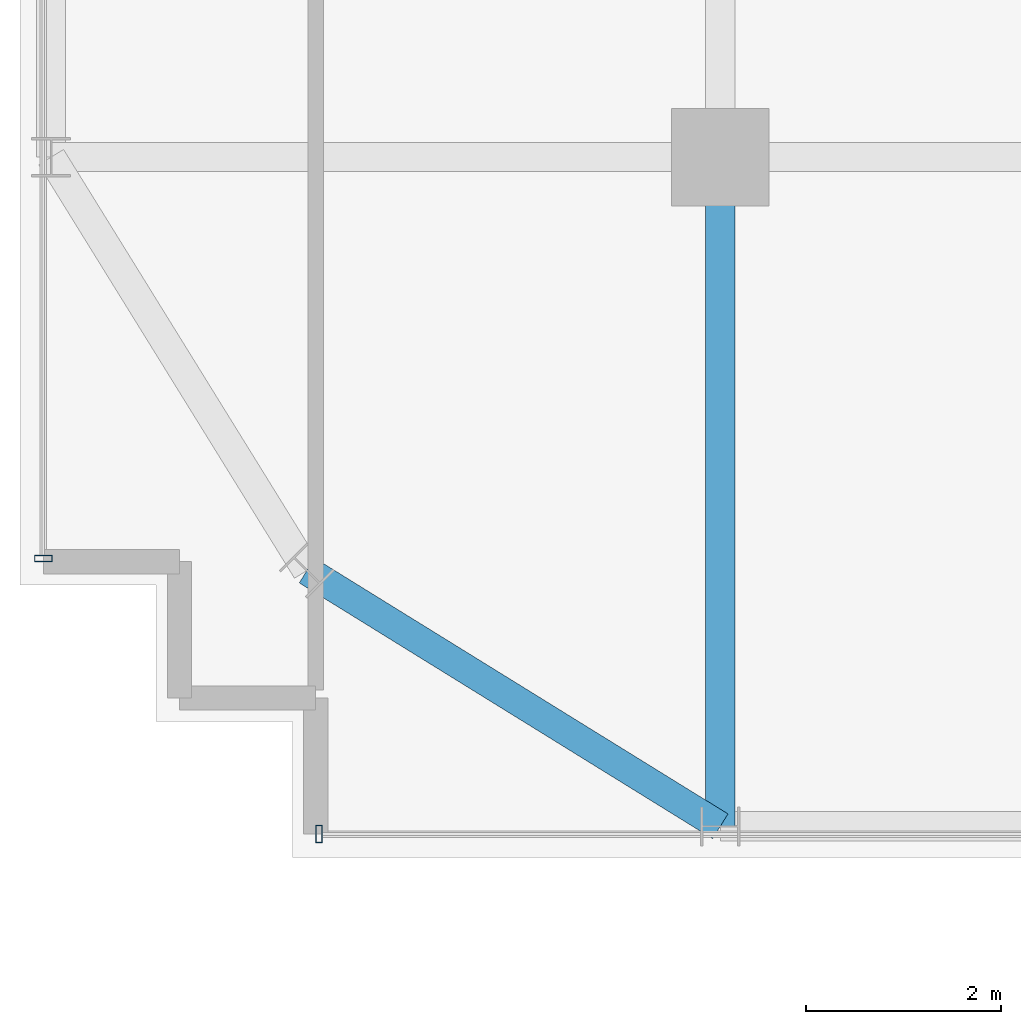
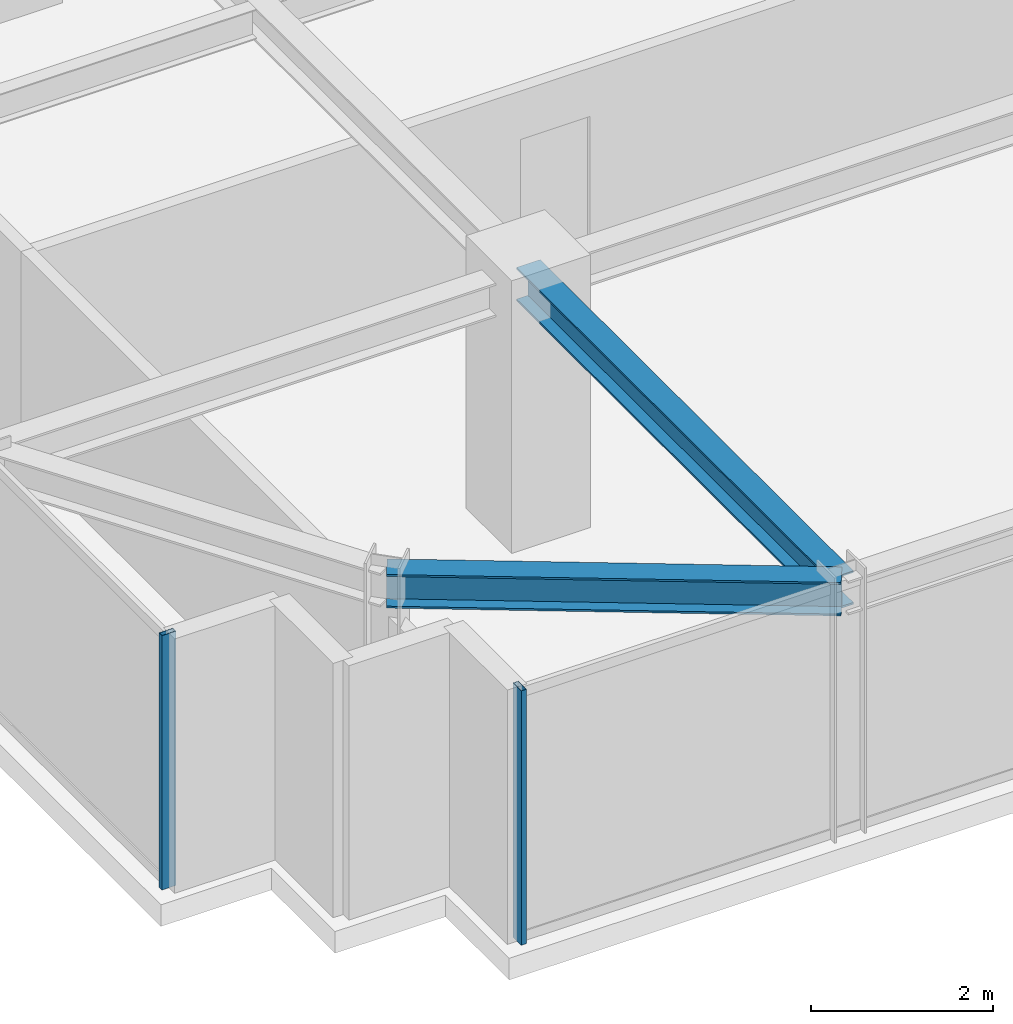
# One storey, part 3 of 36: 2 beams, 2 members, 2 elements without a shape of their own.
"""IFC4 building model written with IfcOpenShell, lengths in metres."""

from ifc_helpers import new_model, si_unit, direction, frame, origin, origin_2d, place, context, subcontext, project, spatial, hollow_rectangle, i_section, extrude, source, transform, mapped, material, material_profile, profile_set, type_object, element, aggregate, save


model = new_model("IFC4")

# Units and contexts
model_context = context("Model", 3, precision=1e-05, world=origin(), true_north=direction((0.0, 1.0)))
body_context = subcontext(model_context, "Body", "Model", "MODEL_VIEW")
ifc_project = project(units=[si_unit("LENGTHUNIT", "METRE"), si_unit("AREAUNIT", "SQUARE_METRE"), si_unit("VOLUMEUNIT", "CUBIC_METRE"), si_unit("PLANEANGLEUNIT", "RADIAN"), si_unit("MASSUNIT", "GRAM", prefix="KILO")], contexts=[model_context])

# Site, building, storey
site_placement = place(None, origin())
site = spatial("IfcSite", under=ifc_project, at=site_placement, CompositionType="ELEMENT")
building_placement = place(site_placement, origin())
building = spatial("IfcBuilding", under=site, at=building_placement, Name="Nahalor Promenade Grand Hotel", CompositionType="ELEMENT")
storey_placement = place(building_placement, frame((0.0, 0.0, 253.0)))
storey = spatial("IfcBuildingStorey", under=building, at=storey_placement, Name="L65", CompositionType="ELEMENT", Elevation=253.0)

# Beams
ifc_material_1 = material(Name="Steel S355JR", Category="steel")
ifc_material_profile_1 = material_profile(ifc_material_1, i_section(OverallWidth=0.3, OverallDepth=0.45, WebThickness=0.014, FlangeThickness=0.026, at=origin_2d()), Name="HEB 450")
ifc_profile_set_1 = profile_set([ifc_material_profile_1], Name="Steel S355JR")
beam_type_1 = type_object("IfcBeamType", Name="Beam-Spandrel-HEB450", PredefinedType="SPANDREL", material=ifc_profile_set_1)
shared_shape_1 = source(origin(), body_context, "Body", "SweptSolid", [
    extrude(i_section(OverallWidth=0.3, OverallDepth=0.45, WebThickness=0.014, FlangeThickness=0.026, at=origin_2d()), origin(), (0.0, 0.0, 1.0), 4.997802734375),
])
beam_1_placement = place(storey_placement, frame((-17.0, -23.8798828125, 3.18505859375), z_axis=(-0.850360908404, 0.526199891161, 0.0), x_axis=(-0.526199891161, -0.850360908404, 0.0)))
element("IfcBeam", 1, at=beam_1_placement, inside=storey, type_object=beam_type_1, Name="BM-L65-SPC-SW-1", PredefinedType="SPANDREL", context=body_context, shape_type="MappedRepresentation", body=[
    mapped(shared_shape_1, transform((0.0, 0.0, 0.0), scale=1.0)),
])
ifc_material_profile_2 = material_profile(ifc_material_1, i_section(OverallWidth=0.3, OverallDepth=0.45, WebThickness=0.014, FlangeThickness=0.026, at=origin_2d()), Name="HEB 450")
ifc_profile_set_2 = profile_set([ifc_material_profile_2], Name="Steel S355JR")
beam_type_2 = type_object("IfcBeamType", Name="Beam-Girder-HEB450", PredefinedType="BEAM", material=ifc_profile_set_2)
shared_shape_2 = source(origin(), body_context, "Body", "SweptSolid", [
    extrude(i_section(OverallWidth=0.3, OverallDepth=0.45, WebThickness=0.014, FlangeThickness=0.026, at=origin_2d()), origin(), (0.0, 0.0, 1.0), 6.8798828125),
])
beam_2_placement = place(storey_placement, frame((-17.0, -23.8798828125, 3.18505859375), z_axis=(0.0, 1.0, 0.0), x_axis=(-1.0, 0.0, 0.0)))
element("IfcBeam", 2, at=beam_2_placement, inside=storey, type_object=beam_type_2, Name="BM-L65-GY-0-0", PredefinedType="BEAM", context=body_context, shape_type="MappedRepresentation", body=[
    mapped(shared_shape_2, transform((0.0, 0.0, 0.0), scale=1.0)),
])

# Curtain wall, member
ifc_material_2 = material(Name="Anodised Bronze Aluminium EN AW-6063 T6", Category="aluminium")
curtain_wall_type = type_object("IfcCurtainWallType", Name="CW2 Typical Hotel Flush Bronze Unitised Curtain Wall", PredefinedType="USERDEFINED", material=ifc_material_2)
curtain_wall_1_placement = place(storey_placement, origin())
curtain_wall_1 = element("IfcCurtainWall", 3, at=curtain_wall_1_placement, inside=storey, type_object=curtain_wall_type, Name="L65 Curtain Wall CW-L65-S-1", ObjectType="UNITISED_CURTAIN_WALL", PredefinedType="USERDEFINED")
ifc_material_profile_3 = material_profile(ifc_material_2, hollow_rectangle(XDim=0.065, YDim=0.18, WallThickness=0.004, at=origin_2d()), Name="CWM 65x180x4")
ifc_profile_set_3 = profile_set([ifc_material_profile_3], Name="Anodised Bronze Aluminium EN AW-6063 T6")
member_type = type_object("IfcMemberType", Name="CWM2 Typical Bronze Mullion 65x180", PredefinedType="MULLION", material=ifc_profile_set_3)
shared_shape_3 = source(origin(), body_context, "Body", "SweptSolid", [
    extrude(hollow_rectangle(XDim=0.065, YDim=0.18, WallThickness=0.004, at=origin_2d()), origin(), (0.0, 0.0, 1.0), 3.409912109375),
])
member_1_placement = place(storey_placement, frame((-21.12744140625, -23.9599609375, 0.0), z_axis=(0.0, 0.0, 1.0), x_axis=(1.0, 0.0, 0.0)))
member_1 = element("IfcMember", 4, at=member_1_placement, type_object=member_type, Name="CW-L65-S-1 Mullion 0", PredefinedType="MULLION", context=body_context, shape_type="MappedRepresentation", body=[
    mapped(shared_shape_3, transform((0.0, 0.0, 0.0), scale=1.0)),
])
aggregate(curtain_wall_1, [member_1])

curtain_wall_2_placement = place(storey_placement, origin())
curtain_wall_2 = element("IfcCurtainWall", 5, at=curtain_wall_2_placement, inside=storey, type_object=curtain_wall_type, Name="L65 Curtain Wall CW-L65-W-1", ObjectType="UNITISED_CURTAIN_WALL", PredefinedType="USERDEFINED")
member_2_placement = place(storey_placement, frame((-23.9599609375, -21.12744140625, 0.0), z_axis=(0.0, 0.0, 1.0), x_axis=(0.0, 1.0, 0.0)))
member_2 = element("IfcMember", 6, at=member_2_placement, type_object=member_type, Name="CW-L65-W-1 Mullion 0", PredefinedType="MULLION", context=body_context, shape_type="MappedRepresentation", body=[
    mapped(shared_shape_3, transform((0.0, 0.0, 0.0), scale=1.0)),
])
aggregate(curtain_wall_2, [member_2])

save(model, "model.ifc")
